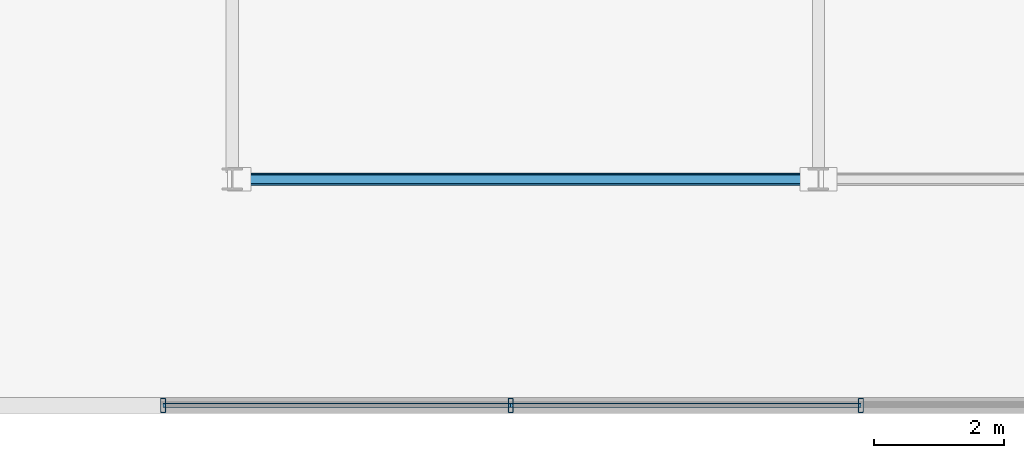
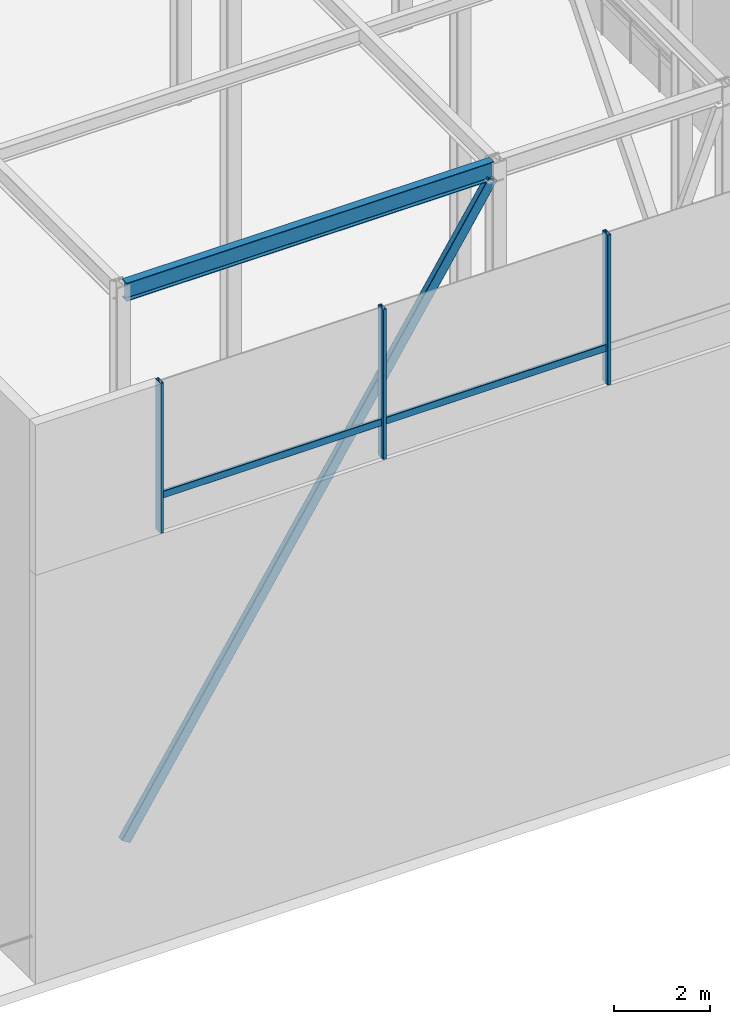
# One storey, part 12 of 42: 6 members, 1 beam, 1 element without a shape of its own.
"""IFC4 building model written with IfcOpenShell, lengths in metres."""

import ifcopenshell
import ifcopenshell.guid

model = None  # the IFC model being written
_history = None  # IfcOwnerHistory: only IFC2X3 demands one
_inside = {}  # id of a spatial element -> (the spatial element, [elements in it])
_under = {}  # id of a project, library or spatial element -> (it, [spatial elements below it])
_declared = {}  # id of a project -> (the project, [libraries it declares])
_typed = {}  # id of a type object -> (the type object, [elements of that type])
_made_of = {}  # id of a material, layer set ... -> (it, [elements and type objects made of it])


def new_model(schema):
    """Start an empty IFC model of exactly this schema.

    Asked for "IFC4X3", IfcOpenShell would pick the latest addendum, in which some entities
    have other attributes; the version numbers below select the first issue.
    IFC2X3 requires an IfcOwnerHistory on every rooted entity: one is made here for all.
    """
    global model, _history
    if schema == "IFC4X3":
        model = ifcopenshell.file(schema_version=(4, 3, 0, 0))
    else:
        model = ifcopenshell.file(schema=schema)
    _inside.clear()
    _under.clear()
    _declared.clear()
    _typed.clear()
    _made_of.clear()
    _history = None
    if model.schema == "IFC2X3":
        org = make("IfcOrganization", Name="unknown")
        user = make(
            "IfcPersonAndOrganization",
            ThePerson=make("IfcPerson", FamilyName="unknown"),
            TheOrganization=org,
        )
        app = make(
            "IfcApplication",
            ApplicationDeveloper=org,
            Version="unknown",
            ApplicationFullName="unknown",
            ApplicationIdentifier="unknown",
        )
        _history = make(
            "IfcOwnerHistory",
            OwningUser=user,
            OwningApplication=app,
            ChangeAction="ADDED",
            CreationDate=0,
        )
    return model


def make(cls, **values):
    """One entity of the class cls with the attributes given. An attribute that is None is left unset."""
    return model.create_entity(
        cls, **{name: value for name, value in values.items() if value is not None}
    )


def rooted(cls, **values):
    """An entity with a GlobalId (a new one), such as an element, a storey or a relation."""
    return make(cls, GlobalId=ifcopenshell.guid.new(), OwnerHistory=_history, **values)


def si_unit(unit_type, name, prefix=None):
    """IfcSIUnit, for example si_unit("LENGTHUNIT", "METRE", prefix="MILLI")."""
    return make("IfcSIUnit", UnitType=unit_type, Prefix=prefix, Name=name)


def assignment(units):
    """IfcUnitAssignment: the units of a project."""
    return None if units is None else make("IfcUnitAssignment", Units=units)


def point(xyz):
    """IfcCartesianPoint."""
    return None if xyz is None else make("IfcCartesianPoint", Coordinates=xyz)


def direction(xyz):
    """IfcDirection."""
    return None if xyz is None else make("IfcDirection", DirectionRatios=xyz)


def frame(location, z_axis=None, x_axis=None):
    """IfcAxis2Placement3D, a coordinate frame: its origin and axes. An axis left out is left unset."""
    return make(
        "IfcAxis2Placement3D",
        Location=point(location),
        Axis=direction(z_axis),
        RefDirection=direction(x_axis),
    )


def frame_2d(location, x_axis=None):
    """IfcAxis2Placement2D, a coordinate frame in the plane: its origin and x axis."""
    return make(
        "IfcAxis2Placement2D", Location=point(location), RefDirection=direction(x_axis)
    )


def origin():
    """The frame at (0, 0, 0) with its axes left unset."""
    return frame((0.0, 0.0, 0.0))


def origin_2d():
    """The frame at (0, 0) in the plane with its x axis left unset."""
    return frame_2d((0.0, 0.0))


def place(relative_to, where):
    """IfcLocalPlacement: puts the frame where relative to a parent placement (None: the world)."""
    return make(
        "IfcLocalPlacement", PlacementRelTo=relative_to, RelativePlacement=where
    )


def context(
    kind, dimensions, precision=None, world=None, true_north=None, identifier=None
):
    """IfcGeometricRepresentationContext, for example the 3D "Model" context."""
    return make(
        "IfcGeometricRepresentationContext",
        ContextIdentifier=identifier,
        ContextType=kind,
        CoordinateSpaceDimension=dimensions,
        Precision=precision,
        WorldCoordinateSystem=world,
        TrueNorth=true_north,
    )


def subcontext(parent, identifier, kind, view, scale=None):
    """IfcGeometricRepresentationSubContext, for example "Body" below "Model"."""
    return make(
        "IfcGeometricRepresentationSubContext",
        ContextIdentifier=identifier,
        ContextType=kind,
        ParentContext=parent,
        TargetScale=scale,
        TargetView=view,
    )


def project(units=None, contexts=None):
    """IfcProject with its units and contexts."""
    return rooted(
        "IfcProject",
        Name="project",
        RepresentationContexts=contexts,
        UnitsInContext=assignment(units),
    )


def spatial(cls, under=None, at=None, **own):
    """A site, building, storey or space (cls), placed at a placement, below another one or the project."""
    s = rooted(cls, ObjectPlacement=at, **own)
    if under is not None:
        _under.setdefault(under.id(), (under, []))[1].append(s)
    return s


def profile(cls, at=None, kind="AREA", **sizes):
    """A parametric profile (cls). Its sizes go by their IFC names, for example OverallWidth=200.0."""
    return make(cls, ProfileType=kind, Position=at, **sizes)


def hollow_rectangle(**sizes):
    """IfcRectangleHollowProfileDef."""
    return profile("IfcRectangleHollowProfileDef", **sizes)


def i_section(**sizes):
    """IfcIShapeProfileDef."""
    return profile("IfcIShapeProfileDef", **sizes)


def extrude(swept, where, along, depth):
    """IfcExtrudedAreaSolid: the profile swept, set in the frame where, extruded along a direction by depth."""
    return make(
        "IfcExtrudedAreaSolid",
        SweptArea=swept,
        Position=where,
        ExtrudedDirection=direction(along),
        Depth=depth,
    )


def shape(context_of_items, identifier, shape_type, items):
    """IfcShapeRepresentation: the items that make up one representation, for example the "Body"."""
    return make(
        "IfcShapeRepresentation",
        ContextOfItems=context_of_items,
        RepresentationIdentifier=identifier,
        RepresentationType=shape_type,
        Items=items,
    )


def material(Name=None, Category=None):
    """IfcMaterial."""
    return make("IfcMaterial", Name=Name, Category=Category)


def layer(
    of_material, thickness, ventilated=None, Name=None, Category=None, Priority=None
):
    """IfcMaterialLayer: one layer of a wall or slab, of a material (None: an air gap)."""
    return make(
        "IfcMaterialLayer",
        Material=of_material,
        LayerThickness=thickness,
        IsVentilated=ventilated,
        Name=Name,
        Category=Category,
        Priority=Priority,
    )


def layer_set(layers, Name=None):
    """IfcMaterialLayerSet."""
    return make("IfcMaterialLayerSet", MaterialLayers=layers, LayerSetName=Name)


def material_profile(
    of_material, cross_section, Name=None, Category=None, Priority=None
):
    """IfcMaterialProfile: a cross section and its material."""
    return make(
        "IfcMaterialProfile",
        Name=Name,
        Material=of_material,
        Profile=cross_section,
        Priority=Priority,
        Category=Category,
    )


def profile_set(profiles, Name=None, composite=None):
    """IfcMaterialProfileSet."""
    return make(
        "IfcMaterialProfileSet",
        Name=Name,
        MaterialProfiles=profiles,
        CompositeProfile=composite,
    )


def made_of(thing, what):
    """Note that an element or type object is made of a material, layer set ...; save() writes the relation."""
    if what is not None:
        _made_of.setdefault(what.id(), (what, []))[1].append(thing)
    return thing


def type_object(cls, material=None, **own):
    """A type object (cls), such as IfcWallType, which elements share."""
    return made_of(rooted(cls, **own), material)


def element(
    cls,
    number,
    at=None,
    inside=None,
    cuts=None,
    type_object=None,
    material=None,
    context=None,
    identifier="Body",
    shape_type=None,
    held_by="IfcProductDefinitionShape",
    body=None,
    shapes=None,
    **own,
):
    """One element of the class cls, such as IfcWall. Its Tag is "e" and its number.

    at: its placement. inside: the storey or other place that contains it. cuts: it is an
    opening in that element (IfcRelVoidsElement). A single representation is given by context,
    identifier, shape_type and body (its items); several are given by shapes. held_by: the class
    of the entity that holds the representations. save() writes the other relations.
    """
    e = rooted(cls, Tag="e%d" % number, ObjectPlacement=at, **own)
    if body is not None:
        shapes = [shape(context, identifier, shape_type, body)]
    if shapes is not None:
        e.Representation = make(held_by, Representations=shapes)
    if inside is not None:
        _inside.setdefault(inside.id(), (inside, []))[1].append(e)
    if cuts is not None:
        rooted(
            "IfcRelVoidsElement", RelatingBuildingElement=cuts, RelatedOpeningElement=e
        )
    if type_object is not None:
        _typed.setdefault(type_object.id(), (type_object, []))[1].append(e)
    return made_of(e, material)


def aggregate(whole, parts):
    """IfcRelAggregates: a whole, such as a stair, and the parts it consists of."""
    return rooted("IfcRelAggregates", RelatingObject=whole, RelatedObjects=parts)


def save(model, path):
    """Write the relations noted so far, then the file.

    IfcRelAggregates (storeys below a building ...), IfcRelContainedInSpatialStructure (elements
    in a storey), IfcRelDefinesByType, IfcRelAssociatesMaterial and IfcRelDeclares: one each for
    every whole, place, type object, material and project.
    """
    for whole, parts in _under.values():
        aggregate(whole, parts)
    for where, things in _inside.values():
        rooted(
            "IfcRelContainedInSpatialStructure",
            RelatedElements=things,
            RelatingStructure=where,
        )
    for kind, things in _typed.values():
        rooted("IfcRelDefinesByType", RelatedObjects=things, RelatingType=kind)
    for what, things in _made_of.values():
        rooted("IfcRelAssociatesMaterial", RelatedObjects=things, RelatingMaterial=what)
    for by, libraries in _declared.values():
        rooted("IfcRelDeclares", RelatingContext=by, RelatedDefinitions=libraries)
    model.write(path)


model = new_model("IFC4")

# Units and contexts
model_context = context("Model", 3, precision=1e-05, world=origin(), true_north=direction((0.0, 1.0)))
body_context = subcontext(model_context, "Body", "Model", "MODEL_VIEW")
ifc_project = project(units=[si_unit("LENGTHUNIT", "METRE"), si_unit("AREAUNIT", "SQUARE_METRE"), si_unit("VOLUMEUNIT", "CUBIC_METRE"), si_unit("PLANEANGLEUNIT", "RADIAN"), si_unit("MASSUNIT", "GRAM", prefix="KILO")], contexts=[model_context])

# Site, building, storey
site_placement = place(None, origin())
site = spatial("IfcSite", under=ifc_project, at=site_placement, CompositionType="ELEMENT")
building_placement = place(site_placement, origin())
building = spatial("IfcBuilding", under=site, at=building_placement, Name="Korimba Cascade Residences", CompositionType="ELEMENT")
storey_placement = place(building_placement, frame((0.0, 0.0, 207.60009765625)))
storey = spatial("IfcBuildingStorey", under=building, at=storey_placement, Name="L60", CompositionType="ELEMENT", Elevation=207.60009765625)

# Beam
ifc_material_1 = material(Name="Steel S355", Category="steel")
ifc_material_profile_1 = material_profile(ifc_material_1, i_section(OverallWidth=0.19140625, OverallDepth=0.4599609375, WebThickness=0.010009765625, FlangeThickness=0.01611328125, FilletRadius=0.01025390625, at=origin_2d()), Name="Steel S355")
ifc_profile_set_1 = profile_set([ifc_material_profile_1], Name="Steel S355")
beam_type = type_object("IfcBeamType", Name="BM-STL-UB457", PredefinedType="JOIST", material=ifc_profile_set_1)
beam_placement = place(storey_placement, frame((109.205078125, -4.199951171875, 13.919921875), z_axis=(1.0, 0.0, 0.0), x_axis=(0.0, 1.0, 0.0)))
element("IfcBeam", 1, at=beam_placement, inside=storey, type_object=beam_type, Name="L60 Crown Cap Ring Beam E1.1", PredefinedType="JOIST", context=body_context, shape_type="SweptSolid", body=[
    extrude(i_section(OverallWidth=0.19140625, OverallDepth=0.4599609375, WebThickness=0.010009765625, FlangeThickness=0.01611328125, FilletRadius=0.01025390625, at=origin_2d()), origin(), (0.0, 0.0, 1.0), 8.7900390625),
])

# Curtain wall, members
ifc_material_2 = material(Name="Anodised Aluminium Curtain Wall Framing", Category="aluminium")
ifc_layer = layer(ifc_material_2, 0.179931640625)
ifc_layer_set = layer_set([ifc_layer], Name="Anodised Aluminium Curtain Wall Framing")
curtain_wall_type = type_object("IfcCurtainWallType", Name="CW-CRNE-SYS6", PredefinedType="NOTDEFINED", material=ifc_layer_set)
curtain_wall_placement = place(storey_placement, origin())
curtain_wall = element("IfcCurtainWall", 2, at=curtain_wall_placement, inside=storey, type_object=curtain_wall_type, Name="L60 Curtain Wall CW-L60-CRN-E-3", PredefinedType="NOTDEFINED")
ifc_material_3 = material(Name="Anodised Aluminium Mullion", Category="aluminium")
ifc_material_profile_2 = material_profile(ifc_material_3, hollow_rectangle(XDim=0.080078125, YDim=0.219970703125, WallThickness=0.00634765625, InnerFilletRadius=0.00634765625, OuterFilletRadius=0.0126953125, at=origin_2d()), Name="Anodised Aluminium Mullion")
ifc_profile_set_2 = profile_set([ifc_material_profile_2], Name="Anodised Aluminium Mullion")
member_type_1 = type_object("IfcMemberType", Name="CWM-MUL-220", PredefinedType="MULLION", material=ifc_profile_set_2)
member_1_placement = place(storey_placement, frame((108.0400390625, -7.675048828125, 10.349853515625), z_axis=(0.0, 0.0, 1.0), x_axis=(1.0, 0.0, 0.0)))
member_1 = element("IfcMember", 3, at=member_1_placement, type_object=member_type_1, Name="CW-L60-CRN-E-3 Mullion 1", PredefinedType="MULLION", context=body_context, shape_type="SweptSolid", body=[
    extrude(hollow_rectangle(XDim=0.080078125, YDim=0.219970703125, WallThickness=0.00634765625, InnerFilletRadius=0.00634765625, OuterFilletRadius=0.0126953125, at=origin_2d()), origin(), (0.0, 0.0, 1.0), 3.800048828125),
])
member_2_placement = place(storey_placement, frame((113.375, -7.675048828125, 10.349853515625), z_axis=(0.0, 0.0, 1.0), x_axis=(1.0, 0.0, 0.0)))
member_2 = element("IfcMember", 4, at=member_2_placement, type_object=member_type_1, Name="CW-L60-CRN-E-3 Mullion 2", PredefinedType="MULLION", context=body_context, shape_type="SweptSolid", body=[
    extrude(hollow_rectangle(XDim=0.080078125, YDim=0.219970703125, WallThickness=0.00634765625, InnerFilletRadius=0.00634765625, OuterFilletRadius=0.0126953125, at=origin_2d()), origin(), (0.0, 0.0, 1.0), 3.800048828125),
])
member_3_placement = place(storey_placement, frame((118.75, -7.675048828125, 10.349853515625), z_axis=(0.0, 0.0, 1.0), x_axis=(1.0, 0.0, 0.0)))
member_3 = element("IfcMember", 5, at=member_3_placement, type_object=member_type_1, Name="CW-L60-CRN-E-3 Mullion 3", PredefinedType="MULLION", context=body_context, shape_type="SweptSolid", body=[
    extrude(hollow_rectangle(XDim=0.080078125, YDim=0.219970703125, WallThickness=0.00634765625, InnerFilletRadius=0.00634765625, OuterFilletRadius=0.0126953125, at=origin_2d()), origin(), (0.0, 0.0, 1.0), 3.800048828125),
])
ifc_material_4 = material(Name="Anodised Aluminium Transom", Category="aluminium")
ifc_material_profile_3 = material_profile(ifc_material_4, hollow_rectangle(XDim=0.070068359375, YDim=0.179931640625, WallThickness=0.0048828125, InnerFilletRadius=0.0048828125, OuterFilletRadius=0.010009765625, at=origin_2d()), Name="Anodised Aluminium Transom")
ifc_profile_set_3 = profile_set([ifc_material_profile_3], Name="Anodised Aluminium Transom")
member_type_2 = type_object("IfcMemberType", Name="CWM-TRN-150", PredefinedType="USERDEFINED", material=ifc_profile_set_3)
member_4_placement = place(storey_placement, frame((108.0400390625, -7.675048828125, 11.25), z_axis=(1.0, 0.0, 0.0), x_axis=(0.0, 1.0, 0.0)))
member_4 = element("IfcMember", 6, at=member_4_placement, type_object=member_type_2, Name="CW-L60-CRN-E-3 Transom 1", ObjectType="TRANSOM", PredefinedType="USERDEFINED", context=body_context, shape_type="SweptSolid", body=[
    extrude(hollow_rectangle(XDim=0.070068359375, YDim=0.179931640625, WallThickness=0.0048828125, InnerFilletRadius=0.0048828125, OuterFilletRadius=0.010009765625, at=origin_2d()), origin(), (0.0, 0.0, 1.0), 5.3349609375),
])
member_5_placement = place(storey_placement, frame((113.375, -7.675048828125, 11.25), z_axis=(1.0, 0.0, 0.0), x_axis=(0.0, 1.0, 0.0)))
member_5 = element("IfcMember", 7, at=member_5_placement, type_object=member_type_2, Name="CW-L60-CRN-E-3 Transom 2", ObjectType="TRANSOM", PredefinedType="USERDEFINED", context=body_context, shape_type="SweptSolid", body=[
    extrude(hollow_rectangle(XDim=0.070068359375, YDim=0.179931640625, WallThickness=0.0048828125, InnerFilletRadius=0.0048828125, OuterFilletRadius=0.010009765625, at=origin_2d()), origin(), (0.0, 0.0, 1.0), 5.375),
])
aggregate(curtain_wall, [member_1, member_2, member_3, member_4, member_5])

# Member
ifc_material_profile_4 = material_profile(ifc_material_1, hollow_rectangle(XDim=0.14990234375, YDim=0.25, WallThickness=0.009033203125, InnerFilletRadius=0.009033203125, OuterFilletRadius=0.01806640625, at=origin_2d()), Name="Steel S355")
ifc_profile_set_4 = profile_set([ifc_material_profile_4], Name="Steel S355")
member_type_3 = type_object("IfcMemberType", Name="MEM-CRN-RHS250", PredefinedType="BRACE", material=ifc_profile_set_4)
member_6_placement = place(storey_placement, frame((109.205078125, -4.199951171875, 0.0), z_axis=(0.540131149546, 0.0, 0.841580858439), x_axis=(0.0, 1.0, 0.0)))
element("IfcMember", 8, at=member_6_placement, inside=storey, type_object=member_type_3, Name="L60 CROWN FRAME Diagonal Brace E1.1", PredefinedType="BRACE", context=body_context, shape_type="SweptSolid", body=[
    extrude(hollow_rectangle(XDim=0.14990234375, YDim=0.25, WallThickness=0.009033203125, InnerFilletRadius=0.009033203125, OuterFilletRadius=0.01806640625, at=origin_2d()), origin(), (0.0, 0.0, 1.0), 16.27392578125),
])

save(model, "model.ifc")
